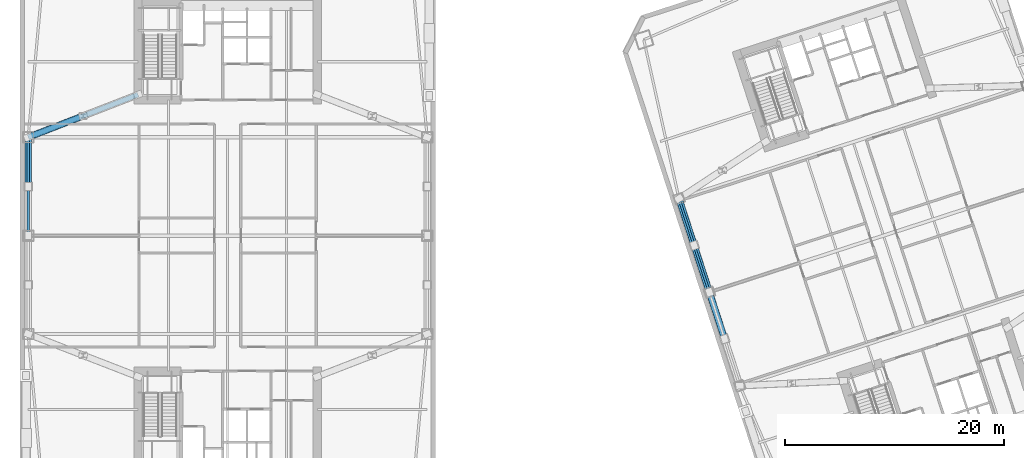
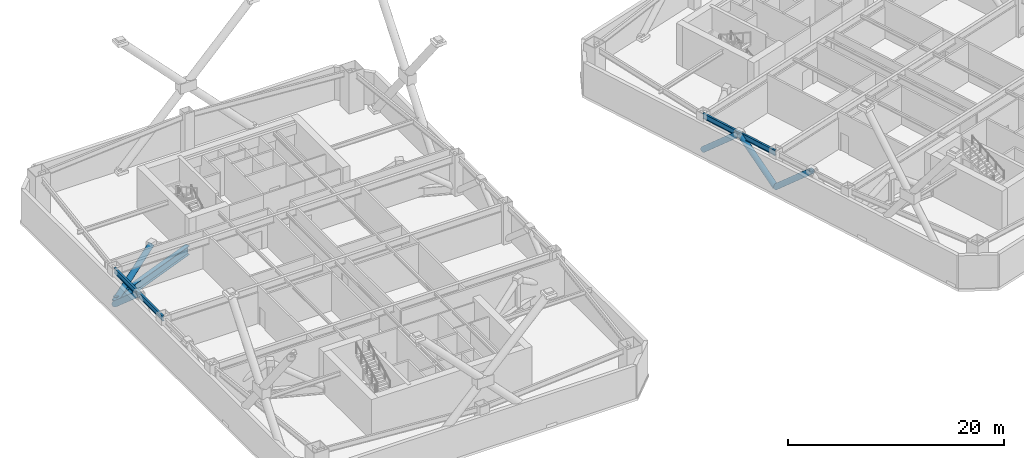
# One storey, part 4 of 19: 5 members, 3 beams.
"""IFC4 building model written with IfcOpenShell, lengths in metres."""

from ifc_helpers import new_model, si_unit, direction, frame, origin, origin_2d, place, context, subcontext, project, spatial, hollow_circle, i_section, extrude, material, material_profile, profile_set, type_object, element, save


model = new_model("IFC4")

# Units and contexts
model_context = context("Model", 3, precision=1e-05, world=origin(), true_north=direction((0.0, 1.0)))
body_context = subcontext(model_context, "Body", "Model", "MODEL_VIEW")
ifc_project = project(units=[si_unit("LENGTHUNIT", "METRE"), si_unit("AREAUNIT", "SQUARE_METRE"), si_unit("VOLUMEUNIT", "CUBIC_METRE"), si_unit("PLANEANGLEUNIT", "RADIAN"), si_unit("MASSUNIT", "GRAM", prefix="KILO")], contexts=[model_context])

# Site, building, storey
site_placement = place(None, origin())
site = spatial("IfcSite", under=ifc_project, at=site_placement, CompositionType="ELEMENT")
building_placement = place(site_placement, origin())
building = spatial("IfcBuilding", under=site, at=building_placement, Name="Qiaolan Cultural Towers", CompositionType="ELEMENT")
storey_placement = place(building_placement, frame((0.0, 0.0, 92.0)))
storey = spatial("IfcBuildingStorey", under=building, at=storey_placement, Name="L23", CompositionType="ELEMENT", Elevation=92.0)

# Beams
ifc_material_1 = material(Name="Steel Q390GJB", Category="steel")
ifc_material_profile_1 = material_profile(ifc_material_1, i_section(OverallWidth=0.449951171875, OverallDepth=1.0, WebThickness=0.02392578125, FlangeThickness=0.0400390625, at=origin_2d()), Name="BH1000x450x24x40")
ifc_profile_set_1 = profile_set([ifc_material_profile_1], Name="Steel Q390GJB")
beam_type_1 = type_object("IfcBeamType", Name="BM-BH1000x450x24x40", PredefinedType="BEAM", material=ifc_profile_set_1)
beam_placement = place(storey_placement, frame((21.800048828125, 46.89990234375, 0.5), z_axis=(-0.932269206067, -0.361765293276, 0.0), x_axis=(0.361765293276, -0.932269206067, 0.0)))
element("IfcBeam", 1, at=beam_placement, inside=storey, type_object=beam_type_1, Name="L23 T1 Outrigger Bottom Chord Girder WN", PredefinedType="BEAM", context=body_context, shape_type="SweptSolid", body=[
    extrude(i_section(OverallWidth=0.449951171875, OverallDepth=1.0, WebThickness=0.02392578125, FlangeThickness=0.0400390625, at=origin_2d()), origin(), (0.0, 0.0, 1.0), 10.7802734375),
])
ifc_material_2 = material(Name="Steel Q355B", Category="steel")
ifc_material_profile_2 = material_profile(ifc_material_2, i_section(OverallWidth=0.199951171875, OverallDepth=0.60009765625, WebThickness=0.010986328125, FlangeThickness=0.01708984375, at=origin_2d()), Name="HN600x200x11x17")
ifc_profile_set_2 = profile_set([ifc_material_profile_2], Name="Steel Q355B")
beam_type_2 = type_object("IfcBeamType", Name="BM-SPD-HN600x200x11x17", PredefinedType="SPANDREL", material=ifc_profile_set_2)
for number, where, z_axis, x_axis, name in (
    (2, (11.75, 43.0, 4.0400390625), (0.0, -1.0, 0.0), (1.0, 0.0, 0.0), "L23 T1 Perimeter Spandrel Beam 10"),
    (3, (71.28857421875, 37.383544921875, 4.0400390625), (0.309024734286, -0.951054001411, 0.0), (0.951054001411, 0.309024734286, 0.0), "L23 T2 Perimeter Spandrel Beam 10"),
):
    element("IfcBeam", number, at=place(storey_placement, frame(where, z_axis=z_axis, x_axis=x_axis)), inside=storey, type_object=beam_type_2, Name=name, PredefinedType="SPANDREL", context=body_context, shape_type="SweptSolid", body=[
        extrude(i_section(OverallWidth=0.199951171875, OverallDepth=0.60009765625, WebThickness=0.010986328125, FlangeThickness=0.01708984375, at=origin_2d()), origin(), (0.0, 0.0, 1.0), 9.0),
    ])

# Members
ifc_material_3 = material(Name="Steel Q355B", Category="steel")
ifc_material_profile_3 = material_profile(ifc_material_3, hollow_circle(Radius=0.300048828125, WallThickness=0.030029296875, at=origin_2d()), Name="CHS600x30")
ifc_profile_set_3 = profile_set([ifc_material_profile_3], Name="Steel Q355B")
member_type = type_object("IfcMemberType", Name="MBR-BRC-CHS600x30", PredefinedType="BRACE", material=ifc_profile_set_3)
member_placement = place(storey_placement, frame((16.77490234375, 44.949951171875, 4.02001953125), z_axis=(-0.78055714211, -0.302901073464, -0.546791996645), x_axis=(0.361772931457, -0.932266242049, 0.0)))
element("IfcMember", 4, at=member_placement, inside=storey, type_object=member_type, Name="L23 T1 Outrigger Truss Diagonal WN-2", PredefinedType="BRACE", context=body_context, shape_type="SweptSolid", body=[
    extrude(hollow_circle(Radius=0.300048828125, WallThickness=0.030029296875, at=origin_2d()), origin(), (0.0, 0.0, 1.0), 6.4375),
])
for number, where, z_axis, x_axis, name in (
    (5, (11.75, 38.5, 4.1201171875), (0.0, 0.754014275447, -0.656858030645), (-1.0, 0.0, 0.0), "L23 T1 Perimeter Belt Truss W2-B"),
    (6, (75.46044921875, 24.544189453125, 4.1201171875), (-0.233010051245, 0.717111340999, -0.656854352676), (-0.951054001411, -0.309024734286, 0.0), "L23 T2 Perimeter Belt Truss W1-B"),
    (7, (74.06982421875, 28.823974609375, 0.199951171875), (-0.233010051245, 0.717111340999, 0.656854352676), (-0.951054001411, -0.309024734286, 0.0), "L23 T2 Perimeter Belt Truss W2-A"),
    (8, (72.67919921875, 33.103759765625, 4.1201171875), (-0.233010051245, 0.717111340999, -0.656854352676), (-0.951054001411, -0.309024734286, 0.0), "L23 T2 Perimeter Belt Truss W2-B"),
):
    element("IfcMember", number, at=place(storey_placement, frame(where, z_axis=z_axis, x_axis=x_axis)), inside=storey, type_object=member_type, Name=name, PredefinedType="BRACE", context=body_context, shape_type="SweptSolid", body=[
        extrude(hollow_circle(Radius=0.300048828125, WallThickness=0.030029296875, at=origin_2d()), origin(), (0.0, 0.0, 1.0), 5.968017578125),
    ])

save(model, "model.ifc")
